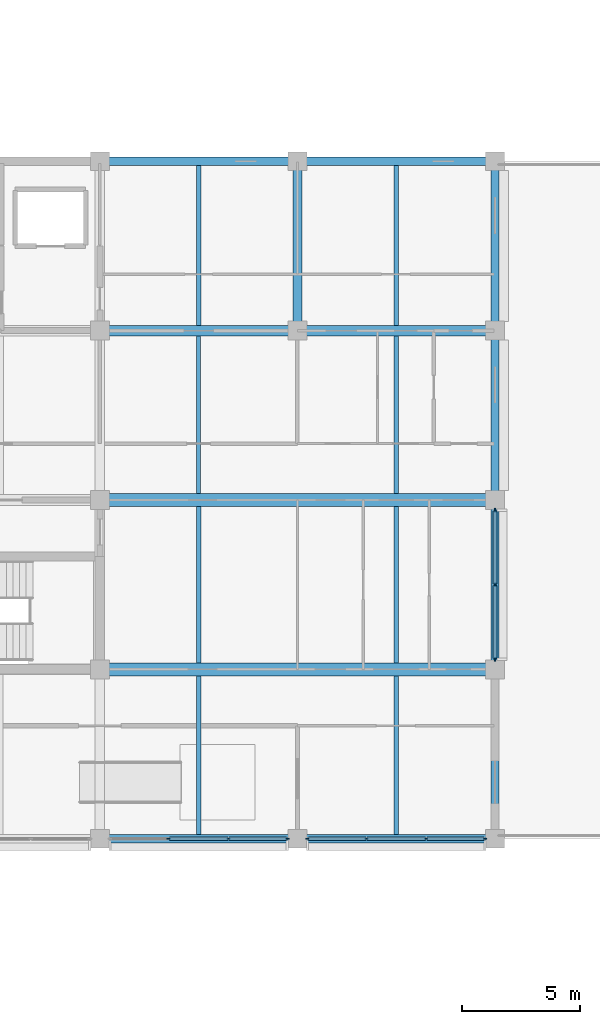
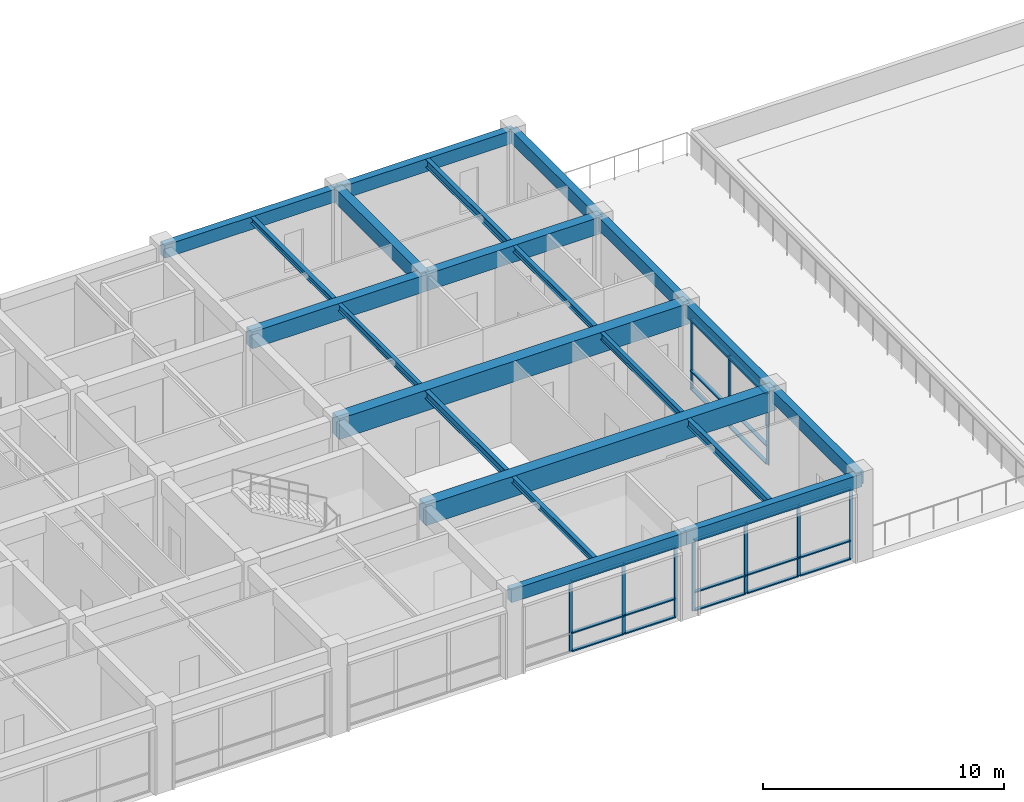
# One storey, part 13 of 40: 31 members, 21 beams, 3 elements without a shape of their own.
"""IFC4 building model written with IfcOpenShell, lengths in metres."""

from ifc_helpers import new_model, si_unit, direction, frame, origin, origin_2d, place, context, subcontext, project, spatial, rectangle, i_section, extrude, material, layer, layer_set, material_profile, profile_set, type_object, element, aggregate, save


model = new_model("IFC4")

# Units and contexts
model_context = context("Model", 3, precision=1e-05, world=origin(), true_north=direction((0.0, 1.0)))
body_context = subcontext(model_context, "Body", "Model", "MODEL_VIEW")
ifc_project = project(units=[si_unit("LENGTHUNIT", "METRE"), si_unit("AREAUNIT", "SQUARE_METRE"), si_unit("VOLUMEUNIT", "CUBIC_METRE"), si_unit("PLANEANGLEUNIT", "RADIAN"), si_unit("MASSUNIT", "GRAM", prefix="KILO")], contexts=[model_context])

# Site, building, storey
site_placement = place(None, origin())
site = spatial("IfcSite", under=ifc_project, at=site_placement, CompositionType="ELEMENT")
building_placement = place(site_placement, origin())
building = spatial("IfcBuilding", under=site, at=building_placement, Name="Chengyuan Square Courthouse", CompositionType="ELEMENT")
storey_placement = place(building_placement, frame((0.0, 0.0, 21.60009765625)))
storey = spatial("IfcBuildingStorey", under=building, at=storey_placement, Name="L05", CompositionType="ELEMENT", Elevation=21.60009765625)

# Beams
ifc_material_1 = material(Name="Concrete C40", Category="concrete")
ifc_material_profile_1 = material_profile(ifc_material_1, rectangle(XDim=0.449951171875, YDim=0.85009765625, at=origin_2d()), Name="RC-BM-450x850")
ifc_profile_set_1 = profile_set([ifc_material_profile_1], Name="Concrete C40")
beam_type_1 = type_object("IfcBeamType", Name="BM-01", PredefinedType="USERDEFINED", material=ifc_profile_set_1)
beam_1_placement = place(storey_placement, frame((126.0, 100.800048828125, 3.81494140625), z_axis=(1.0, 0.0, 0.0), x_axis=(0.0, 1.0, 0.0)))
element("IfcBeam", 1, at=beam_1_placement, inside=storey, type_object=beam_type_1, Name="Girder BM-L05-3245", ObjectType="GIRDER", PredefinedType="USERDEFINED", context=body_context, shape_type="SweptSolid", body=[
    extrude(rectangle(XDim=0.449951171875, YDim=0.85009765625, at=origin_2d()), origin(), (0.0, 0.0, 1.0), 8.39990234375),
])
beam_2_placement = place(storey_placement, frame((134.39990234375, 100.800048828125, 3.81494140625), z_axis=(1.0, 0.0, 0.0), x_axis=(0.0, 1.0, 0.0)))
element("IfcBeam", 2, at=beam_2_placement, inside=storey, type_object=beam_type_1, Name="Girder BM-L05-3246", ObjectType="GIRDER", PredefinedType="USERDEFINED", context=body_context, shape_type="SweptSolid", body=[
    extrude(rectangle(XDim=0.449951171875, YDim=0.85009765625, at=origin_2d()), origin(), (0.0, 0.0, 1.0), 8.400146484375),
])
ifc_material_profile_2 = material_profile(ifc_material_1, rectangle(XDim=0.39990234375, YDim=0.75, at=origin_2d()), Name="RC-BM-400x750")
ifc_profile_set_2 = profile_set([ifc_material_profile_2], Name="Concrete C40")
beam_type_2 = type_object("IfcBeamType", Name="BM-02", PredefinedType="USERDEFINED", material=ifc_profile_set_2)
beam_3_placement = place(storey_placement, frame((134.39990234375, 100.800048828125, 3.864990234375), z_axis=(0.0, 1.0, 0.0), x_axis=(-1.0, 0.0, 0.0)))
element("IfcBeam", 3, at=beam_3_placement, inside=storey, type_object=beam_type_2, Name="Girder BM-L05-3327", ObjectType="GIRDER", PredefinedType="USERDEFINED", context=body_context, shape_type="SweptSolid", body=[
    extrude(rectangle(XDim=0.39990234375, YDim=0.75, at=origin_2d()), origin(), (0.0, 0.0, 1.0), 7.199951171875),
])
ifc_material_profile_3 = material_profile(ifc_material_1, rectangle(XDim=0.35009765625, YDim=0.64990234375, at=origin_2d()), Name="RC-BM-350x650")
ifc_profile_set_3 = profile_set([ifc_material_profile_3], Name="Concrete C40")
beam_type_3 = type_object("IfcBeamType", Name="BM-03", PredefinedType="SPANDREL", material=ifc_profile_set_3)
beam_4_placement = place(storey_placement, frame((126.0, 79.199951171875, 3.914794921875), z_axis=(1.0, 0.0, 0.0), x_axis=(0.0, 1.0, 0.0)))
element("IfcBeam", 4, at=beam_4_placement, inside=storey, type_object=beam_type_3, Name="Girder BM-L05-3207", PredefinedType="SPANDREL", context=body_context, shape_type="SweptSolid", body=[
    extrude(rectangle(XDim=0.35009765625, YDim=0.64990234375, at=origin_2d()), origin(), (0.0, 0.0, 1.0), 8.39990234375),
])
beam_5_placement = place(storey_placement, frame((134.39990234375, 79.199951171875, 3.914794921875), z_axis=(1.0, 0.0, 0.0), x_axis=(0.0, 1.0, 0.0)))
element("IfcBeam", 5, at=beam_5_placement, inside=storey, type_object=beam_type_3, Name="Girder BM-L05-3208", PredefinedType="SPANDREL", context=body_context, shape_type="SweptSolid", body=[
    extrude(rectangle(XDim=0.35009765625, YDim=0.64990234375, at=origin_2d()), origin(), (0.0, 0.0, 1.0), 8.400146484375),
])
beam_6_placement = place(storey_placement, frame((126.0, 108.0, 3.914794921875), z_axis=(1.0, 0.0, 0.0), x_axis=(0.0, 1.0, 0.0)))
element("IfcBeam", 6, at=beam_6_placement, inside=storey, type_object=beam_type_3, Name="Girder BM-L05-3259", PredefinedType="SPANDREL", context=body_context, shape_type="SweptSolid", body=[
    extrude(rectangle(XDim=0.35009765625, YDim=0.64990234375, at=origin_2d()), origin(), (0.0, 0.0, 1.0), 8.39990234375),
])
beam_7_placement = place(storey_placement, frame((134.39990234375, 108.0, 3.914794921875), z_axis=(1.0, 0.0, 0.0), x_axis=(0.0, 1.0, 0.0)))
element("IfcBeam", 7, at=beam_7_placement, inside=storey, type_object=beam_type_3, Name="Girder BM-L05-3260", PredefinedType="SPANDREL", context=body_context, shape_type="SweptSolid", body=[
    extrude(rectangle(XDim=0.35009765625, YDim=0.64990234375, at=origin_2d()), origin(), (0.0, 0.0, 1.0), 8.400146484375),
])
beam_8_placement = place(storey_placement, frame((142.800048828125, 79.199951171875, 3.914794921875), z_axis=(0.0, 1.0, 0.0), x_axis=(-1.0, 0.0, 0.0)))
element("IfcBeam", 8, at=beam_8_placement, inside=storey, type_object=beam_type_3, Name="Girder BM-L05-3328", PredefinedType="SPANDREL", context=body_context, shape_type="SweptSolid", body=[
    extrude(rectangle(XDim=0.35009765625, YDim=0.64990234375, at=origin_2d()), origin(), (0.0, 0.0, 1.0), 7.199951171875),
])
beam_9_placement = place(storey_placement, frame((142.800048828125, 86.39990234375, 3.914794921875), z_axis=(0.0, 1.0, 0.0), x_axis=(-1.0, 0.0, 0.0)))
element("IfcBeam", 9, at=beam_9_placement, inside=storey, type_object=beam_type_3, Name="Girder BM-L05-3329", PredefinedType="SPANDREL", context=body_context, shape_type="SweptSolid", body=[
    extrude(rectangle(XDim=0.35009765625, YDim=0.64990234375, at=origin_2d()), origin(), (0.0, 0.0, 1.0), 7.2001953125),
])
for number, where, z_axis, x_axis, name in (
    (10, (142.800048828125, 93.60009765625, 3.914794921875), (0.0, 1.0, 0.0), (-1.0, 0.0, 0.0), "Girder BM-L05-3330"),
    (11, (142.800048828125, 100.800048828125, 3.914794921875), (0.0, 1.0, 0.0), (-1.0, 0.0, 0.0), "Girder BM-L05-3331"),
):
    element("IfcBeam", number, at=place(storey_placement, frame(where, z_axis=z_axis, x_axis=x_axis)), inside=storey, type_object=beam_type_3, Name=name, PredefinedType="SPANDREL", context=body_context, shape_type="SweptSolid", body=[
        extrude(rectangle(XDim=0.35009765625, YDim=0.64990234375, at=origin_2d()), origin(), (0.0, 0.0, 1.0), 7.199951171875),
    ])
ifc_material_2 = material(Name="Steel Q355B", Category="steel")
ifc_material_profile_4 = material_profile(ifc_material_2, i_section(OverallWidth=0.199951171875, OverallDepth=0.39990234375, WebThickness=0.008056640625, FlangeThickness=0.012939453125, at=origin_2d()), Name="HN 400x200x8x13")
ifc_profile_set_4 = profile_set([ifc_material_profile_4], Name="Steel Q355B")
beam_type_4 = type_object("IfcBeamType", Name="BM-07", PredefinedType="BEAM", material=ifc_profile_set_4)
beam_10_placement = place(storey_placement, frame((130.199951171875, 86.675048828125, 4.039794921875), z_axis=(0.0, 1.0, 0.0), x_axis=(-1.0, 0.0, 0.0)))
element("IfcBeam", 12, at=beam_10_placement, inside=storey, type_object=beam_type_4, Name="Secondary Floor Beam SBM-L05-3379", PredefinedType="BEAM", context=body_context, shape_type="SweptSolid", body=[
    extrude(i_section(OverallWidth=0.199951171875, OverallDepth=0.39990234375, WebThickness=0.008056640625, FlangeThickness=0.012939453125, at=origin_2d()), origin(), (0.0, 0.0, 1.0), 6.64990234375),
])
beam_11_placement = place(storey_placement, frame((138.60009765625, 79.375, 4.039794921875), z_axis=(0.0, 1.0, 0.0), x_axis=(-1.0, 0.0, 0.0)))
element("IfcBeam", 13, at=beam_11_placement, inside=storey, type_object=beam_type_4, Name="Secondary Floor Beam SBM-L05-3382", PredefinedType="BEAM", context=body_context, shape_type="SweptSolid", body=[
    extrude(i_section(OverallWidth=0.199951171875, OverallDepth=0.39990234375, WebThickness=0.008056640625, FlangeThickness=0.012939453125, at=origin_2d()), origin(), (0.0, 0.0, 1.0), 6.75),
])
beam_12_placement = place(storey_placement, frame((138.60009765625, 101.02490234375, 4.039794921875), z_axis=(0.0, 1.0, 0.0), x_axis=(-1.0, 0.0, 0.0)))
element("IfcBeam", 14, at=beam_12_placement, inside=storey, type_object=beam_type_4, Name="Secondary Floor Beam SBM-L05-3385", PredefinedType="BEAM", context=body_context, shape_type="SweptSolid", body=[
    extrude(i_section(OverallWidth=0.199951171875, OverallDepth=0.39990234375, WebThickness=0.008056640625, FlangeThickness=0.012939453125, at=origin_2d()), origin(), (0.0, 0.0, 1.0), 6.800048828125),
])
ifc_material_profile_5 = material_profile(ifc_material_2, i_section(OverallWidth=0.175048828125, OverallDepth=0.35009765625, WebThickness=0.007080078125, FlangeThickness=0.010986328125, at=origin_2d()), Name="HN 350x175x7x11")
ifc_profile_set_5 = profile_set([ifc_material_profile_5], Name="Steel Q355B")
beam_type_5 = type_object("IfcBeamType", Name="BM-08", PredefinedType="BEAM", material=ifc_profile_set_5)
beam_13_placement = place(storey_placement, frame((130.199951171875, 93.875, 4.06494140625), z_axis=(0.0, 1.0, 0.0), x_axis=(-1.0, 0.0, 0.0)))
element("IfcBeam", 15, at=beam_13_placement, inside=storey, type_object=beam_type_5, Name="Secondary Floor Beam SBM-L05-3380", PredefinedType="BEAM", context=body_context, shape_type="SweptSolid", body=[
    extrude(i_section(OverallWidth=0.175048828125, OverallDepth=0.35009765625, WebThickness=0.007080078125, FlangeThickness=0.010986328125, at=origin_2d()), origin(), (0.0, 0.0, 1.0), 6.699951171875),
])
beam_14_placement = place(storey_placement, frame((138.60009765625, 86.675048828125, 4.06494140625), z_axis=(0.0, 1.0, 0.0), x_axis=(-1.0, 0.0, 0.0)))
element("IfcBeam", 16, at=beam_14_placement, inside=storey, type_object=beam_type_5, Name="Secondary Floor Beam SBM-L05-3383", PredefinedType="BEAM", context=body_context, shape_type="SweptSolid", body=[
    extrude(i_section(OverallWidth=0.175048828125, OverallDepth=0.35009765625, WebThickness=0.007080078125, FlangeThickness=0.010986328125, at=origin_2d()), origin(), (0.0, 0.0, 1.0), 6.64990234375),
])
ifc_material_profile_6 = material_profile(ifc_material_2, i_section(OverallWidth=0.199951171875, OverallDepth=0.300048828125, WebThickness=0.008056640625, FlangeThickness=0.011962890625, at=origin_2d()), Name="HM 300x200x8x12")
ifc_profile_set_6 = profile_set([ifc_material_profile_6], Name="Steel Q355B")
beam_type_6 = type_object("IfcBeamType", Name="BM-09", PredefinedType="BEAM", material=ifc_profile_set_6)
beam_15_placement = place(storey_placement, frame((130.199951171875, 79.375, 4.08984375), z_axis=(0.0, 1.0, 0.0), x_axis=(-1.0, 0.0, 0.0)))
element("IfcBeam", 17, at=beam_15_placement, inside=storey, type_object=beam_type_6, Name="Secondary Floor Beam SBM-L05-3378", PredefinedType="BEAM", context=body_context, shape_type="SweptSolid", body=[
    extrude(i_section(OverallWidth=0.199951171875, OverallDepth=0.300048828125, WebThickness=0.008056640625, FlangeThickness=0.011962890625, at=origin_2d()), origin(), (0.0, 0.0, 1.0), 6.75),
])
beam_16_placement = place(storey_placement, frame((130.199951171875, 101.02490234375, 4.08984375), z_axis=(0.0, 1.0, 0.0), x_axis=(-1.0, 0.0, 0.0)))
element("IfcBeam", 18, at=beam_16_placement, inside=storey, type_object=beam_type_6, Name="Secondary Floor Beam SBM-L05-3381", PredefinedType="BEAM", context=body_context, shape_type="SweptSolid", body=[
    extrude(i_section(OverallWidth=0.199951171875, OverallDepth=0.300048828125, WebThickness=0.008056640625, FlangeThickness=0.011962890625, at=origin_2d()), origin(), (0.0, 0.0, 1.0), 6.800048828125),
])
beam_17_placement = place(storey_placement, frame((138.60009765625, 93.875, 4.08984375), z_axis=(0.0, 1.0, 0.0), x_axis=(-1.0, 0.0, 0.0)))
element("IfcBeam", 19, at=beam_17_placement, inside=storey, type_object=beam_type_6, Name="Secondary Floor Beam SBM-L05-3384", PredefinedType="BEAM", context=body_context, shape_type="SweptSolid", body=[
    extrude(i_section(OverallWidth=0.199951171875, OverallDepth=0.300048828125, WebThickness=0.008056640625, FlangeThickness=0.011962890625, at=origin_2d()), origin(), (0.0, 0.0, 1.0), 6.699951171875),
])

# Curtain wall, members
ifc_material_3 = material(Name="Unitised Aluminium and Triple Low-E Glass", Category="aluminium")
ifc_layer_1 = layer(ifc_material_3, 0.159912109375)
ifc_layer_set_1 = layer_set([ifc_layer_1], Name="Unitised Aluminium and Triple Low-E Glass")
curtain_wall_type_1 = type_object("IfcCurtainWallType", Name="CW-13", PredefinedType="USERDEFINED", material=ifc_layer_set_1)
curtain_wall_1_placement = place(storey_placement, origin())
curtain_wall_1 = element("IfcCurtainWall", 20, at=curtain_wall_1_placement, inside=storey, type_object=curtain_wall_type_1, Name="Unitised Curtain Wall CW-L05-180", ObjectType="UNITISED CURTAIN WALL", PredefinedType="USERDEFINED")
ifc_material_4 = material(Name="Aluminium 6063-T6 Frame", Category="aluminium")
ifc_material_profile_7 = material_profile(ifc_material_4, rectangle(XDim=0.06005859375, YDim=0.159912109375, at=origin_2d()), Name="CW-MUL-60x160")
ifc_profile_set_7 = profile_set([ifc_material_profile_7], Name="Aluminium 6063-T6 Frame")
member_type_1 = type_object("IfcMemberType", Name="CWM-01", PredefinedType="MULLION", material=ifc_profile_set_7)
member_1_placement = place(storey_placement, frame((128.933349609375, 79.199951171875, 0.0), z_axis=(0.0, 0.0, 1.0), x_axis=(0.0, 1.0, 0.0)))
member_1 = element("IfcMember", 21, at=member_1_placement, type_object=member_type_1, Name="CW-13 mullion 2", PredefinedType="MULLION", context=body_context, shape_type="SweptSolid", body=[
    extrude(rectangle(XDim=0.06005859375, YDim=0.159912109375, at=origin_2d()), origin(), (0.0, 0.0, 1.0), 3.58984375),
])
member_2_placement = place(storey_placement, frame((131.466552734375, 79.199951171875, 0.0), z_axis=(0.0, 0.0, 1.0), x_axis=(0.0, 1.0, 0.0)))
member_2 = element("IfcMember", 22, at=member_2_placement, type_object=member_type_1, Name="CW-13 mullion 3", PredefinedType="MULLION", context=body_context, shape_type="SweptSolid", body=[
    extrude(rectangle(XDim=0.06005859375, YDim=0.159912109375, at=origin_2d()), origin(), (0.0, 0.0, 1.0), 3.58984375),
])
member_3_placement = place(storey_placement, frame((133.969970703125, 79.199951171875, 0.0), z_axis=(0.0, 0.0, 1.0), x_axis=(0.0, 1.0, 0.0)))
member_3 = element("IfcMember", 23, at=member_3_placement, type_object=member_type_1, Name="CW-13 mullion 4", PredefinedType="MULLION", context=body_context, shape_type="SweptSolid", body=[
    extrude(rectangle(XDim=0.06005859375, YDim=0.159912109375, at=origin_2d()), origin(), (0.0, 0.0, 1.0), 3.58984375),
])

curtain_wall_2_placement = place(storey_placement, origin())
curtain_wall_2 = element("IfcCurtainWall", 24, at=curtain_wall_2_placement, inside=storey, type_object=curtain_wall_type_1, Name="Unitised Curtain Wall CW-L05-181", ObjectType="UNITISED CURTAIN WALL", PredefinedType="USERDEFINED")
member_4_placement = place(storey_placement, frame((134.830078125, 79.199951171875, 0.0), z_axis=(0.0, 0.0, 1.0), x_axis=(0.0, 1.0, 0.0)))
member_4 = element("IfcMember", 25, at=member_4_placement, type_object=member_type_1, Name="CW-13 mullion 1", PredefinedType="MULLION", context=body_context, shape_type="SweptSolid", body=[
    extrude(rectangle(XDim=0.06005859375, YDim=0.159912109375, at=origin_2d()), origin(), (0.0, 0.0, 1.0), 3.58984375),
])
member_5_placement = place(storey_placement, frame((137.333251953125, 79.199951171875, 0.0), z_axis=(0.0, 0.0, 1.0), x_axis=(0.0, 1.0, 0.0)))
member_5 = element("IfcMember", 26, at=member_5_placement, type_object=member_type_1, Name="CW-13 mullion 2", PredefinedType="MULLION", context=body_context, shape_type="SweptSolid", body=[
    extrude(rectangle(XDim=0.06005859375, YDim=0.159912109375, at=origin_2d()), origin(), (0.0, 0.0, 1.0), 3.58984375),
])
member_6_placement = place(storey_placement, frame((139.86669921875, 79.199951171875, 0.0), z_axis=(0.0, 0.0, 1.0), x_axis=(0.0, 1.0, 0.0)))
member_6 = element("IfcMember", 27, at=member_6_placement, type_object=member_type_1, Name="CW-13 mullion 3", PredefinedType="MULLION", context=body_context, shape_type="SweptSolid", body=[
    extrude(rectangle(XDim=0.06005859375, YDim=0.159912109375, at=origin_2d()), origin(), (0.0, 0.0, 1.0), 3.58984375),
])
member_7_placement = place(storey_placement, frame((142.3701171875, 79.199951171875, 0.0), z_axis=(0.0, 0.0, 1.0), x_axis=(0.0, 1.0, 0.0)))
member_7 = element("IfcMember", 28, at=member_7_placement, type_object=member_type_1, Name="CW-13 mullion 4", PredefinedType="MULLION", context=body_context, shape_type="SweptSolid", body=[
    extrude(rectangle(XDim=0.06005859375, YDim=0.159912109375, at=origin_2d()), origin(), (0.0, 0.0, 1.0), 3.58984375),
])

ifc_layer_2 = layer(ifc_material_3, 0.179931640625)
ifc_layer_set_2 = layer_set([ifc_layer_2], Name="Unitised Aluminium and Triple Low-E Glass")
curtain_wall_type_2 = type_object("IfcCurtainWallType", Name="CW-02", PredefinedType="USERDEFINED", material=ifc_layer_set_2)
curtain_wall_3_placement = place(storey_placement, origin())
curtain_wall_3 = element("IfcCurtainWall", 29, at=curtain_wall_3_placement, inside=storey, type_object=curtain_wall_type_2, Name="Unitised Curtain Wall CW-L05-182", ObjectType="UNITISED CURTAIN WALL", PredefinedType="USERDEFINED")
ifc_material_profile_8 = material_profile(ifc_material_4, rectangle(XDim=0.06494140625, YDim=0.179931640625, at=origin_2d()), Name="CW-MUL-65x180")
ifc_profile_set_8 = profile_set([ifc_material_profile_8], Name="Aluminium 6063-T6 Frame")
member_type_2 = type_object("IfcMemberType", Name="CWM-02", PredefinedType="MULLION", material=ifc_profile_set_8)
member_8_placement = place(storey_placement, frame((142.800048828125, 86.83251953125, 0.0), z_axis=(0.0, 0.0, 1.0), x_axis=(-1.0, 0.0, 0.0)))
member_8 = element("IfcMember", 30, at=member_8_placement, type_object=member_type_2, Name="CW-02 mullion 1", PredefinedType="MULLION", context=body_context, shape_type="SweptSolid", body=[
    extrude(rectangle(XDim=0.06494140625, YDim=0.179931640625, at=origin_2d()), origin(), (0.0, 0.0, 1.0), 3.58984375),
])
member_9_placement = place(storey_placement, frame((142.800048828125, 90.0, 0.0), z_axis=(0.0, 0.0, 1.0), x_axis=(-1.0, 0.0, 0.0)))
member_9 = element("IfcMember", 31, at=member_9_placement, type_object=member_type_2, Name="CW-02 mullion 2", PredefinedType="MULLION", context=body_context, shape_type="SweptSolid", body=[
    extrude(rectangle(XDim=0.06494140625, YDim=0.179931640625, at=origin_2d()), origin(), (0.0, 0.0, 1.0), 3.58984375),
])
member_10_placement = place(storey_placement, frame((142.800048828125, 93.16748046875, 0.0), z_axis=(0.0, 0.0, 1.0), x_axis=(-1.0, 0.0, 0.0)))
member_10 = element("IfcMember", 32, at=member_10_placement, type_object=member_type_2, Name="CW-02 mullion 3", PredefinedType="MULLION", context=body_context, shape_type="SweptSolid", body=[
    extrude(rectangle(XDim=0.06494140625, YDim=0.179931640625, at=origin_2d()), origin(), (0.0, 0.0, 1.0), 3.58984375),
])

# Member
ifc_material_profile_9 = material_profile(ifc_material_4, rectangle(XDim=0.159912109375, YDim=0.06005859375, at=origin_2d()), Name="CW-TRN-60x120")
ifc_profile_set_9 = profile_set([ifc_material_profile_9], Name="Aluminium 6063-T6 Frame")
member_type_3 = type_object("IfcMemberType", Name="CWT-01", PredefinedType="USERDEFINED", material=ifc_profile_set_9)
member_11_placement = place(storey_placement, frame((128.96337890625, 79.199951171875, 0.02978515625), z_axis=(1.0, 0.0, 0.0), x_axis=(0.0, 1.0, 0.0)))
member_11 = element("IfcMember", 33, at=member_11_placement, type_object=member_type_3, Name="CW-13 transom 2.1", ObjectType="TRANSOM", PredefinedType="USERDEFINED", context=body_context, shape_type="SweptSolid", body=[
    extrude(rectangle(XDim=0.159912109375, YDim=0.06005859375, at=origin_2d()), origin(), (0.0, 0.0, 1.0), 2.473388671875),
])

member_12_placement = place(storey_placement, frame((128.96337890625, 79.199951171875, 0.949951171875), z_axis=(1.0, 0.0, 0.0), x_axis=(0.0, 1.0, 0.0)))
member_12 = element("IfcMember", 34, at=member_12_placement, type_object=member_type_3, Name="CW-13 transom 2.2", ObjectType="TRANSOM", PredefinedType="USERDEFINED", context=body_context, shape_type="SweptSolid", body=[
    extrude(rectangle(XDim=0.159912109375, YDim=0.06005859375, at=origin_2d()), origin(), (0.0, 0.0, 1.0), 2.473388671875),
])

member_13_placement = place(storey_placement, frame((128.96337890625, 79.199951171875, 3.559814453125), z_axis=(1.0, 0.0, 0.0), x_axis=(0.0, 1.0, 0.0)))
member_13 = element("IfcMember", 35, at=member_13_placement, type_object=member_type_3, Name="CW-13 transom 2.3", ObjectType="TRANSOM", PredefinedType="USERDEFINED", context=body_context, shape_type="SweptSolid", body=[
    extrude(rectangle(XDim=0.159912109375, YDim=0.06005859375, at=origin_2d()), origin(), (0.0, 0.0, 1.0), 2.473388671875),
])

member_14_placement = place(storey_placement, frame((131.49658203125, 79.199951171875, 0.02978515625), z_axis=(1.0, 0.0, 0.0), x_axis=(0.0, 1.0, 0.0)))
member_14 = element("IfcMember", 36, at=member_14_placement, type_object=member_type_3, Name="CW-13 transom 3.1", ObjectType="TRANSOM", PredefinedType="USERDEFINED", context=body_context, shape_type="SweptSolid", body=[
    extrude(rectangle(XDim=0.159912109375, YDim=0.06005859375, at=origin_2d()), origin(), (0.0, 0.0, 1.0), 2.443359375),
])

member_15_placement = place(storey_placement, frame((131.49658203125, 79.199951171875, 0.949951171875), z_axis=(1.0, 0.0, 0.0), x_axis=(0.0, 1.0, 0.0)))
member_15 = element("IfcMember", 37, at=member_15_placement, type_object=member_type_3, Name="CW-13 transom 3.2", ObjectType="TRANSOM", PredefinedType="USERDEFINED", context=body_context, shape_type="SweptSolid", body=[
    extrude(rectangle(XDim=0.159912109375, YDim=0.06005859375, at=origin_2d()), origin(), (0.0, 0.0, 1.0), 2.443359375),
])

member_16_placement = place(storey_placement, frame((131.49658203125, 79.199951171875, 3.559814453125), z_axis=(1.0, 0.0, 0.0), x_axis=(0.0, 1.0, 0.0)))
member_16 = element("IfcMember", 38, at=member_16_placement, type_object=member_type_3, Name="CW-13 transom 3.3", ObjectType="TRANSOM", PredefinedType="USERDEFINED", context=body_context, shape_type="SweptSolid", body=[
    extrude(rectangle(XDim=0.159912109375, YDim=0.06005859375, at=origin_2d()), origin(), (0.0, 0.0, 1.0), 2.443359375),
])

aggregate(curtain_wall_1, [member_1, member_2, member_3, member_11, member_12, member_13, member_14, member_15, member_16])

member_17_placement = place(storey_placement, frame((134.860107421875, 79.199951171875, 0.02978515625), z_axis=(1.0, 0.0, 0.0), x_axis=(0.0, 1.0, 0.0)))
member_17 = element("IfcMember", 39, at=member_17_placement, type_object=member_type_3, Name="CW-13 transom 1.1", ObjectType="TRANSOM", PredefinedType="USERDEFINED", context=body_context, shape_type="SweptSolid", body=[
    extrude(rectangle(XDim=0.159912109375, YDim=0.06005859375, at=origin_2d()), origin(), (0.0, 0.0, 1.0), 2.443115234375),
])

member_18_placement = place(storey_placement, frame((134.860107421875, 79.199951171875, 0.949951171875), z_axis=(1.0, 0.0, 0.0), x_axis=(0.0, 1.0, 0.0)))
member_18 = element("IfcMember", 40, at=member_18_placement, type_object=member_type_3, Name="CW-13 transom 1.2", ObjectType="TRANSOM", PredefinedType="USERDEFINED", context=body_context, shape_type="SweptSolid", body=[
    extrude(rectangle(XDim=0.159912109375, YDim=0.06005859375, at=origin_2d()), origin(), (0.0, 0.0, 1.0), 2.443115234375),
])

member_19_placement = place(storey_placement, frame((134.860107421875, 79.199951171875, 3.559814453125), z_axis=(1.0, 0.0, 0.0), x_axis=(0.0, 1.0, 0.0)))
member_19 = element("IfcMember", 41, at=member_19_placement, type_object=member_type_3, Name="CW-13 transom 1.3", ObjectType="TRANSOM", PredefinedType="USERDEFINED", context=body_context, shape_type="SweptSolid", body=[
    extrude(rectangle(XDim=0.159912109375, YDim=0.06005859375, at=origin_2d()), origin(), (0.0, 0.0, 1.0), 2.443115234375),
])

member_20_placement = place(storey_placement, frame((137.36328125, 79.199951171875, 0.02978515625), z_axis=(1.0, 0.0, 0.0), x_axis=(0.0, 1.0, 0.0)))
member_20 = element("IfcMember", 42, at=member_20_placement, type_object=member_type_3, Name="CW-13 transom 2.1", ObjectType="TRANSOM", PredefinedType="USERDEFINED", context=body_context, shape_type="SweptSolid", body=[
    extrude(rectangle(XDim=0.159912109375, YDim=0.06005859375, at=origin_2d()), origin(), (0.0, 0.0, 1.0), 2.473388671875),
])

member_21_placement = place(storey_placement, frame((137.36328125, 79.199951171875, 0.949951171875), z_axis=(1.0, 0.0, 0.0), x_axis=(0.0, 1.0, 0.0)))
member_21 = element("IfcMember", 43, at=member_21_placement, type_object=member_type_3, Name="CW-13 transom 2.2", ObjectType="TRANSOM", PredefinedType="USERDEFINED", context=body_context, shape_type="SweptSolid", body=[
    extrude(rectangle(XDim=0.159912109375, YDim=0.06005859375, at=origin_2d()), origin(), (0.0, 0.0, 1.0), 2.473388671875),
])

member_22_placement = place(storey_placement, frame((137.36328125, 79.199951171875, 3.559814453125), z_axis=(1.0, 0.0, 0.0), x_axis=(0.0, 1.0, 0.0)))
member_22 = element("IfcMember", 44, at=member_22_placement, type_object=member_type_3, Name="CW-13 transom 2.3", ObjectType="TRANSOM", PredefinedType="USERDEFINED", context=body_context, shape_type="SweptSolid", body=[
    extrude(rectangle(XDim=0.159912109375, YDim=0.06005859375, at=origin_2d()), origin(), (0.0, 0.0, 1.0), 2.473388671875),
])

member_23_placement = place(storey_placement, frame((139.896728515625, 79.199951171875, 0.02978515625), z_axis=(1.0, 0.0, 0.0), x_axis=(0.0, 1.0, 0.0)))
member_23 = element("IfcMember", 45, at=member_23_placement, type_object=member_type_3, Name="CW-13 transom 3.1", ObjectType="TRANSOM", PredefinedType="USERDEFINED", context=body_context, shape_type="SweptSolid", body=[
    extrude(rectangle(XDim=0.159912109375, YDim=0.06005859375, at=origin_2d()), origin(), (0.0, 0.0, 1.0), 2.443359375),
])

member_24_placement = place(storey_placement, frame((139.896728515625, 79.199951171875, 0.949951171875), z_axis=(1.0, 0.0, 0.0), x_axis=(0.0, 1.0, 0.0)))
member_24 = element("IfcMember", 46, at=member_24_placement, type_object=member_type_3, Name="CW-13 transom 3.2", ObjectType="TRANSOM", PredefinedType="USERDEFINED", context=body_context, shape_type="SweptSolid", body=[
    extrude(rectangle(XDim=0.159912109375, YDim=0.06005859375, at=origin_2d()), origin(), (0.0, 0.0, 1.0), 2.443359375),
])

member_25_placement = place(storey_placement, frame((139.896728515625, 79.199951171875, 3.559814453125), z_axis=(1.0, 0.0, 0.0), x_axis=(0.0, 1.0, 0.0)))
member_25 = element("IfcMember", 47, at=member_25_placement, type_object=member_type_3, Name="CW-13 transom 3.3", ObjectType="TRANSOM", PredefinedType="USERDEFINED", context=body_context, shape_type="SweptSolid", body=[
    extrude(rectangle(XDim=0.159912109375, YDim=0.06005859375, at=origin_2d()), origin(), (0.0, 0.0, 1.0), 2.443359375),
])

aggregate(curtain_wall_2, [member_4, member_5, member_6, member_7, member_17, member_18, member_19, member_20, member_21, member_22, member_23, member_24, member_25])

ifc_material_profile_10 = material_profile(ifc_material_4, rectangle(XDim=0.179931640625, YDim=0.06494140625, at=origin_2d()), Name="CW-TRN-65x140")
ifc_profile_set_10 = profile_set([ifc_material_profile_10], Name="Aluminium 6063-T6 Frame")
member_type_4 = type_object("IfcMemberType", Name="CWT-02", PredefinedType="USERDEFINED", material=ifc_profile_set_10)
member_26_placement = place(storey_placement, frame((142.800048828125, 86.864990234375, 0.032470703125), z_axis=(0.0, 1.0, 0.0), x_axis=(-1.0, 0.0, 0.0)))
member_26 = element("IfcMember", 48, at=member_26_placement, type_object=member_type_4, Name="CW-02 transom 1.1", ObjectType="TRANSOM", PredefinedType="USERDEFINED", context=body_context, shape_type="SweptSolid", body=[
    extrude(rectangle(XDim=0.179931640625, YDim=0.06494140625, at=origin_2d()), origin(), (0.0, 0.0, 1.0), 3.1025390625),
])

member_27_placement = place(storey_placement, frame((142.800048828125, 86.864990234375, 0.949951171875), z_axis=(0.0, 1.0, 0.0), x_axis=(-1.0, 0.0, 0.0)))
member_27 = element("IfcMember", 49, at=member_27_placement, type_object=member_type_4, Name="CW-02 transom 1.2", ObjectType="TRANSOM", PredefinedType="USERDEFINED", context=body_context, shape_type="SweptSolid", body=[
    extrude(rectangle(XDim=0.179931640625, YDim=0.06494140625, at=origin_2d()), origin(), (0.0, 0.0, 1.0), 3.1025390625),
])

member_28_placement = place(storey_placement, frame((142.800048828125, 86.864990234375, 3.557373046875), z_axis=(0.0, 1.0, 0.0), x_axis=(-1.0, 0.0, 0.0)))
member_28 = element("IfcMember", 50, at=member_28_placement, type_object=member_type_4, Name="CW-02 transom 1.3", ObjectType="TRANSOM", PredefinedType="USERDEFINED", context=body_context, shape_type="SweptSolid", body=[
    extrude(rectangle(XDim=0.179931640625, YDim=0.06494140625, at=origin_2d()), origin(), (0.0, 0.0, 1.0), 3.1025390625),
])

member_29_placement = place(storey_placement, frame((142.800048828125, 90.032470703125, 0.032470703125), z_axis=(0.0, 1.0, 0.0), x_axis=(-1.0, 0.0, 0.0)))
member_29 = element("IfcMember", 51, at=member_29_placement, type_object=member_type_4, Name="CW-02 transom 2.1", ObjectType="TRANSOM", PredefinedType="USERDEFINED", context=body_context, shape_type="SweptSolid", body=[
    extrude(rectangle(XDim=0.179931640625, YDim=0.06494140625, at=origin_2d()), origin(), (0.0, 0.0, 1.0), 3.1025390625),
])

member_30_placement = place(storey_placement, frame((142.800048828125, 90.032470703125, 0.949951171875), z_axis=(0.0, 1.0, 0.0), x_axis=(-1.0, 0.0, 0.0)))
member_30 = element("IfcMember", 52, at=member_30_placement, type_object=member_type_4, Name="CW-02 transom 2.2", ObjectType="TRANSOM", PredefinedType="USERDEFINED", context=body_context, shape_type="SweptSolid", body=[
    extrude(rectangle(XDim=0.179931640625, YDim=0.06494140625, at=origin_2d()), origin(), (0.0, 0.0, 1.0), 3.1025390625),
])

member_31_placement = place(storey_placement, frame((142.800048828125, 90.032470703125, 3.557373046875), z_axis=(0.0, 1.0, 0.0), x_axis=(-1.0, 0.0, 0.0)))
member_31 = element("IfcMember", 53, at=member_31_placement, type_object=member_type_4, Name="CW-02 transom 2.3", ObjectType="TRANSOM", PredefinedType="USERDEFINED", context=body_context, shape_type="SweptSolid", body=[
    extrude(rectangle(XDim=0.179931640625, YDim=0.06494140625, at=origin_2d()), origin(), (0.0, 0.0, 1.0), 3.1025390625),
])

aggregate(curtain_wall_3, [member_8, member_9, member_10, member_26, member_27, member_28, member_29, member_30, member_31])

# Beams
ifc_material_5 = material(Name="Post-tensioned Concrete C50", Category="concrete")
ifc_material_profile_11 = material_profile(ifc_material_5, rectangle(XDim=0.550048828125, YDim=1.050048828125, at=origin_2d()), Name="PT-BM-550x1050")
ifc_profile_set_11 = profile_set([ifc_material_profile_11], Name="Post-tensioned Concrete C50")
beam_type_7 = type_object("IfcBeamType", Name="PT-01", PredefinedType="USERDEFINED", material=ifc_profile_set_11)
for number, where, z_axis, x_axis, name in (
    (54, (126.0, 86.39990234375, 3.71484375), (1.0, 0.0, 0.0), (0.0, 1.0, 0.0), "Girder BM-L05-3220"),
    (55, (126.0, 93.60009765625, 3.71484375), (1.0, 0.0, 0.0), (0.0, 1.0, 0.0), "Girder BM-L05-3232"),
):
    element("IfcBeam", number, at=place(storey_placement, frame(where, z_axis=z_axis, x_axis=x_axis)), inside=storey, type_object=beam_type_7, Name=name, ObjectType="GIRDER", PredefinedType="USERDEFINED", context=body_context, shape_type="SweptSolid", body=[
        extrude(rectangle(XDim=0.550048828125, YDim=1.050048828125, at=origin_2d()), origin(), (0.0, 0.0, 1.0), 16.800048828125),
    ])

save(model, "model.ifc")
